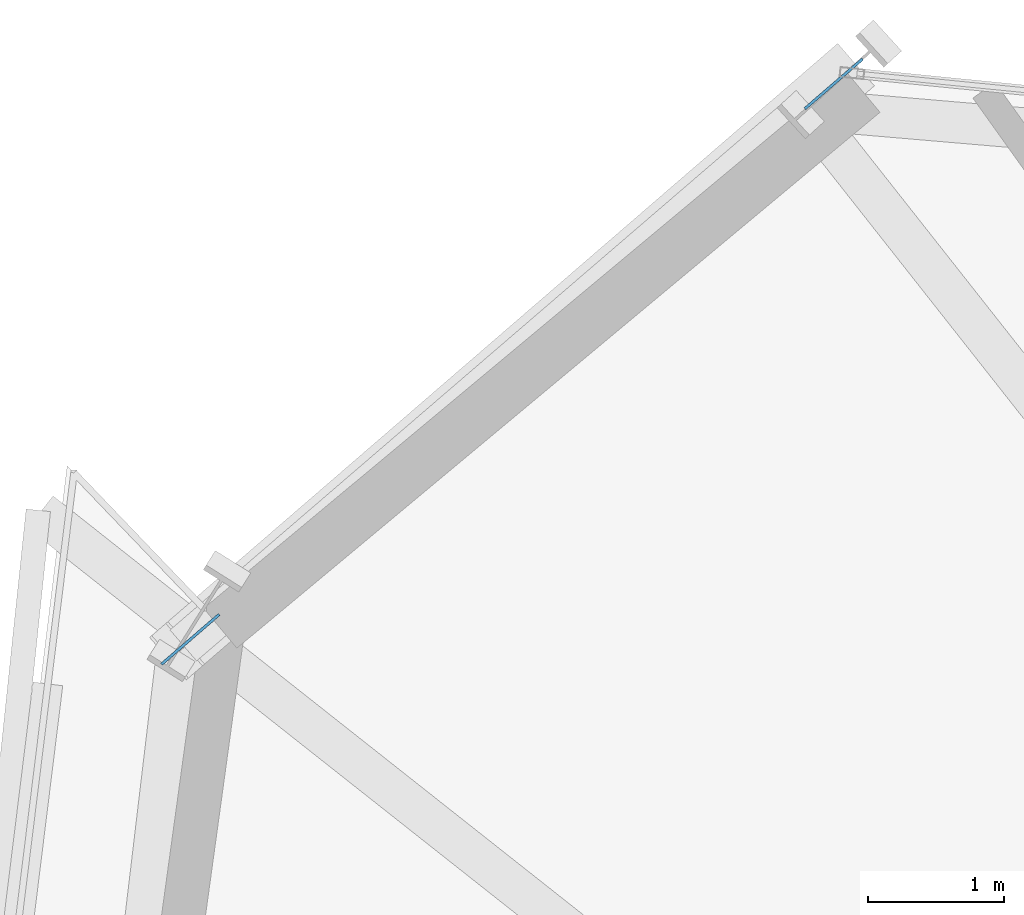
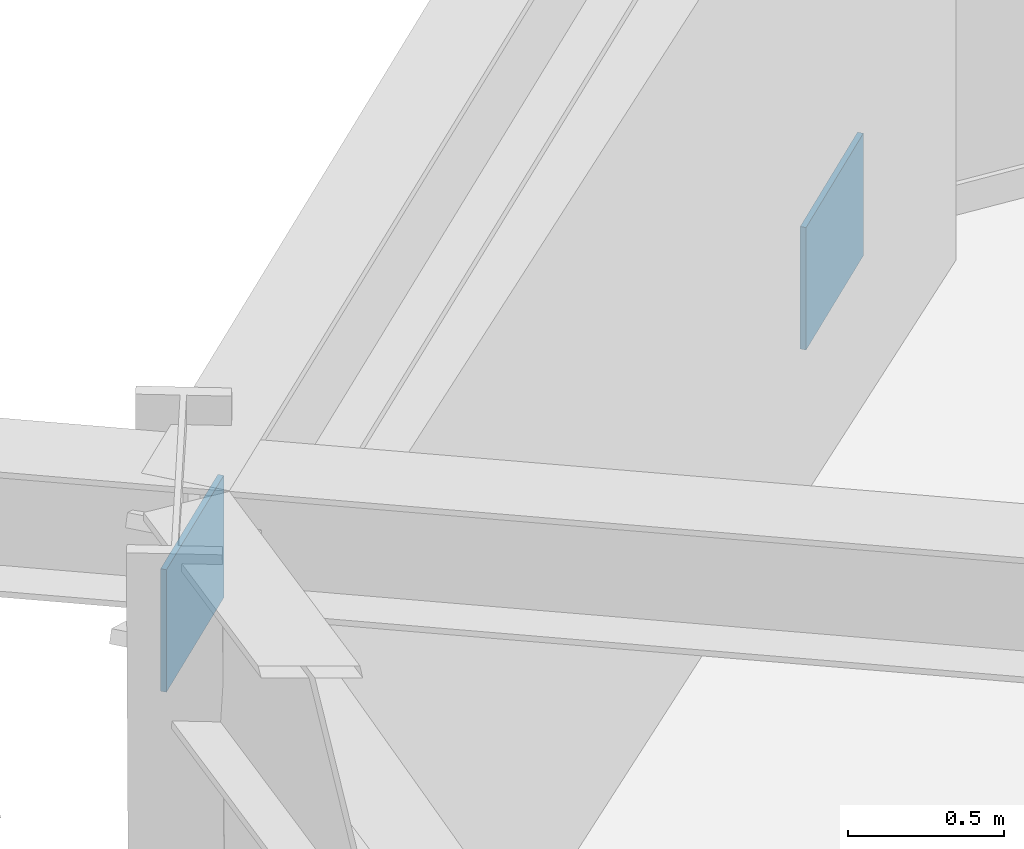
# One storey, part 16 of 24: 2 plates.
"""IFC4 building model written with IfcOpenShell, lengths in metres."""

import ifcopenshell
import ifcopenshell.guid

model = None  # the IFC model being written
_history = None  # IfcOwnerHistory: only IFC2X3 demands one
_inside = {}  # id of a spatial element -> (the spatial element, [elements in it])
_under = {}  # id of a project, library or spatial element -> (it, [spatial elements below it])
_declared = {}  # id of a project -> (the project, [libraries it declares])
_typed = {}  # id of a type object -> (the type object, [elements of that type])
_made_of = {}  # id of a material, layer set ... -> (it, [elements and type objects made of it])


def new_model(schema):
    """Start an empty IFC model of exactly this schema.

    Asked for "IFC4X3", IfcOpenShell would pick the latest addendum, in which some entities
    have other attributes; the version numbers below select the first issue.
    IFC2X3 requires an IfcOwnerHistory on every rooted entity: one is made here for all.
    """
    global model, _history
    if schema == "IFC4X3":
        model = ifcopenshell.file(schema_version=(4, 3, 0, 0))
    else:
        model = ifcopenshell.file(schema=schema)
    _inside.clear()
    _under.clear()
    _declared.clear()
    _typed.clear()
    _made_of.clear()
    _history = None
    if model.schema == "IFC2X3":
        org = make("IfcOrganization", Name="unknown")
        user = make(
            "IfcPersonAndOrganization",
            ThePerson=make("IfcPerson", FamilyName="unknown"),
            TheOrganization=org,
        )
        app = make(
            "IfcApplication",
            ApplicationDeveloper=org,
            Version="unknown",
            ApplicationFullName="unknown",
            ApplicationIdentifier="unknown",
        )
        _history = make(
            "IfcOwnerHistory",
            OwningUser=user,
            OwningApplication=app,
            ChangeAction="ADDED",
            CreationDate=0,
        )
    return model


def make(cls, **values):
    """One entity of the class cls with the attributes given. An attribute that is None is left unset."""
    return model.create_entity(
        cls, **{name: value for name, value in values.items() if value is not None}
    )


def rooted(cls, **values):
    """An entity with a GlobalId (a new one), such as an element, a storey or a relation."""
    return make(cls, GlobalId=ifcopenshell.guid.new(), OwnerHistory=_history, **values)


def si_unit(unit_type, name, prefix=None):
    """IfcSIUnit, for example si_unit("LENGTHUNIT", "METRE", prefix="MILLI")."""
    return make("IfcSIUnit", UnitType=unit_type, Prefix=prefix, Name=name)


def assignment(units):
    """IfcUnitAssignment: the units of a project."""
    return None if units is None else make("IfcUnitAssignment", Units=units)


def point(xyz):
    """IfcCartesianPoint."""
    return None if xyz is None else make("IfcCartesianPoint", Coordinates=xyz)


def direction(xyz):
    """IfcDirection."""
    return None if xyz is None else make("IfcDirection", DirectionRatios=xyz)


def frame(location, z_axis=None, x_axis=None):
    """IfcAxis2Placement3D, a coordinate frame: its origin and axes. An axis left out is left unset."""
    return make(
        "IfcAxis2Placement3D",
        Location=point(location),
        Axis=direction(z_axis),
        RefDirection=direction(x_axis),
    )


def frame_2d(location, x_axis=None):
    """IfcAxis2Placement2D, a coordinate frame in the plane: its origin and x axis."""
    return make(
        "IfcAxis2Placement2D", Location=point(location), RefDirection=direction(x_axis)
    )


def origin():
    """The frame at (0, 0, 0) with its axes left unset."""
    return frame((0.0, 0.0, 0.0))


def origin_2d():
    """The frame at (0, 0) in the plane with its x axis left unset."""
    return frame_2d((0.0, 0.0))


def place(relative_to, where):
    """IfcLocalPlacement: puts the frame where relative to a parent placement (None: the world)."""
    return make(
        "IfcLocalPlacement", PlacementRelTo=relative_to, RelativePlacement=where
    )


def context(
    kind, dimensions, precision=None, world=None, true_north=None, identifier=None
):
    """IfcGeometricRepresentationContext, for example the 3D "Model" context."""
    return make(
        "IfcGeometricRepresentationContext",
        ContextIdentifier=identifier,
        ContextType=kind,
        CoordinateSpaceDimension=dimensions,
        Precision=precision,
        WorldCoordinateSystem=world,
        TrueNorth=true_north,
    )


def subcontext(parent, identifier, kind, view, scale=None):
    """IfcGeometricRepresentationSubContext, for example "Body" below "Model"."""
    return make(
        "IfcGeometricRepresentationSubContext",
        ContextIdentifier=identifier,
        ContextType=kind,
        ParentContext=parent,
        TargetScale=scale,
        TargetView=view,
    )


def project(units=None, contexts=None):
    """IfcProject with its units and contexts."""
    return rooted(
        "IfcProject",
        Name="project",
        RepresentationContexts=contexts,
        UnitsInContext=assignment(units),
    )


def spatial(cls, under=None, at=None, **own):
    """A site, building, storey or space (cls), placed at a placement, below another one or the project."""
    s = rooted(cls, ObjectPlacement=at, **own)
    if under is not None:
        _under.setdefault(under.id(), (under, []))[1].append(s)
    return s


def profile(cls, at=None, kind="AREA", **sizes):
    """A parametric profile (cls). Its sizes go by their IFC names, for example OverallWidth=200.0."""
    return make(cls, ProfileType=kind, Position=at, **sizes)


def rectangle(**sizes):
    """IfcRectangleProfileDef."""
    return profile("IfcRectangleProfileDef", **sizes)


def extrude(swept, where, along, depth):
    """IfcExtrudedAreaSolid: the profile swept, set in the frame where, extruded along a direction by depth."""
    return make(
        "IfcExtrudedAreaSolid",
        SweptArea=swept,
        Position=where,
        ExtrudedDirection=direction(along),
        Depth=depth,
    )


def shape(context_of_items, identifier, shape_type, items):
    """IfcShapeRepresentation: the items that make up one representation, for example the "Body"."""
    return make(
        "IfcShapeRepresentation",
        ContextOfItems=context_of_items,
        RepresentationIdentifier=identifier,
        RepresentationType=shape_type,
        Items=items,
    )


def source(mapping_origin, context_of_items, identifier, shape_type, items):
    """IfcRepresentationMap: a shape defined once, which mapped items show again and again."""
    return make(
        "IfcRepresentationMap",
        MappingOrigin=mapping_origin,
        MappedRepresentation=shape(context_of_items, identifier, shape_type, items),
    )


def transform(
    local_origin,
    x_axis=None,
    y_axis=None,
    z_axis=None,
    scale=None,
    scale2=None,
    scale3=None,
    uniform=True,
):
    """IfcCartesianTransformationOperator3D, or its non-uniform kind. x_axis, y_axis, z_axis: its Axis1, 2, 3."""
    if uniform:
        return make(
            "IfcCartesianTransformationOperator3D",
            Axis1=direction(x_axis),
            Axis2=direction(y_axis),
            LocalOrigin=point(local_origin),
            Scale=scale,
            Axis3=direction(z_axis),
        )
    return make(
        "IfcCartesianTransformationOperator3DnonUniform",
        Axis1=direction(x_axis),
        Axis2=direction(y_axis),
        LocalOrigin=point(local_origin),
        Scale=scale,
        Axis3=direction(z_axis),
        Scale2=scale2,
        Scale3=scale3,
    )


def mapped(mapping_source, mapping_target):
    """IfcMappedItem: shows the shape of a source again, moved by a transform."""
    return make(
        "IfcMappedItem", MappingSource=mapping_source, MappingTarget=mapping_target
    )


def material(Name=None, Category=None):
    """IfcMaterial."""
    return make("IfcMaterial", Name=Name, Category=Category)


def made_of(thing, what):
    """Note that an element or type object is made of a material, layer set ...; save() writes the relation."""
    if what is not None:
        _made_of.setdefault(what.id(), (what, []))[1].append(thing)
    return thing


def type_object(cls, material=None, **own):
    """A type object (cls), such as IfcWallType, which elements share."""
    return made_of(rooted(cls, **own), material)


def element(
    cls,
    number,
    at=None,
    inside=None,
    cuts=None,
    type_object=None,
    material=None,
    context=None,
    identifier="Body",
    shape_type=None,
    held_by="IfcProductDefinitionShape",
    body=None,
    shapes=None,
    **own,
):
    """One element of the class cls, such as IfcWall. Its Tag is "e" and its number.

    at: its placement. inside: the storey or other place that contains it. cuts: it is an
    opening in that element (IfcRelVoidsElement). A single representation is given by context,
    identifier, shape_type and body (its items); several are given by shapes. held_by: the class
    of the entity that holds the representations. save() writes the other relations.
    """
    e = rooted(cls, Tag="e%d" % number, ObjectPlacement=at, **own)
    if body is not None:
        shapes = [shape(context, identifier, shape_type, body)]
    if shapes is not None:
        e.Representation = make(held_by, Representations=shapes)
    if inside is not None:
        _inside.setdefault(inside.id(), (inside, []))[1].append(e)
    if cuts is not None:
        rooted(
            "IfcRelVoidsElement", RelatingBuildingElement=cuts, RelatedOpeningElement=e
        )
    if type_object is not None:
        _typed.setdefault(type_object.id(), (type_object, []))[1].append(e)
    return made_of(e, material)


def aggregate(whole, parts):
    """IfcRelAggregates: a whole, such as a stair, and the parts it consists of."""
    return rooted("IfcRelAggregates", RelatingObject=whole, RelatedObjects=parts)


def save(model, path):
    """Write the relations noted so far, then the file.

    IfcRelAggregates (storeys below a building ...), IfcRelContainedInSpatialStructure (elements
    in a storey), IfcRelDefinesByType, IfcRelAssociatesMaterial and IfcRelDeclares: one each for
    every whole, place, type object, material and project.
    """
    for whole, parts in _under.values():
        aggregate(whole, parts)
    for where, things in _inside.values():
        rooted(
            "IfcRelContainedInSpatialStructure",
            RelatedElements=things,
            RelatingStructure=where,
        )
    for kind, things in _typed.values():
        rooted("IfcRelDefinesByType", RelatedObjects=things, RelatingType=kind)
    for what, things in _made_of.values():
        rooted("IfcRelAssociatesMaterial", RelatedObjects=things, RelatingMaterial=what)
    for by, libraries in _declared.values():
        rooted("IfcRelDeclares", RelatingContext=by, RelatedDefinitions=libraries)
    model.write(path)


model = new_model("IFC4")

# Units and contexts
model_context = context("Model", 3, precision=1e-05, world=origin(), true_north=direction((0.0, 1.0)))
body_context = subcontext(model_context, "Body", "Model", "MODEL_VIEW")
ifc_project = project(units=[si_unit("LENGTHUNIT", "METRE"), si_unit("AREAUNIT", "SQUARE_METRE"), si_unit("VOLUMEUNIT", "CUBIC_METRE"), si_unit("PLANEANGLEUNIT", "RADIAN"), si_unit("MASSUNIT", "GRAM", prefix="KILO")], contexts=[model_context])

# Site, building, storey
site_placement = place(None, origin())
site = spatial("IfcSite", under=ifc_project, at=site_placement, CompositionType="ELEMENT")
building_placement = place(site_placement, origin())
building = spatial("IfcBuilding", under=site, at=building_placement, Name="Olszyna Solenne Hotel", CompositionType="ELEMENT")
storey_placement = place(building_placement, frame((0.0, 0.0, 64.800048828125)))
storey = spatial("IfcBuildingStorey", under=building, at=storey_placement, Name="L16", CompositionType="ELEMENT", Elevation=64.800048828125)

# Plates
ifc_material = material(Name="Steel S355J2", Category="steel")
plate_type = type_object("IfcPlateType", Name="GP-ND2", PredefinedType="USERDEFINED", material=ifc_material)
shared_shape = source(origin(), body_context, "Body", "SweptSolid", [
    extrude(rectangle(XDim=0.56005859375, YDim=0.02001953125, at=origin_2d()), origin(), (0.0, 0.0, 1.0), 0.47998046875),
])
for number, where, z_axis, x_axis, name in (
    (1, (23.127197265625, 45.9228515625, -0.1728515625), (0.0, 0.0, 1.0), (-0.756881000713, -0.653552714599, 0.0), "Brace end connection gusset plate GP-ND2 EP-BR-L16-2-1"),
    (2, (18.3974609375, 41.839111328125, 2.617919921875), (0.0, 0.0, 1.0), (-0.756881000713, -0.653552714599, 0.0), "Brace end connection gusset plate GP-ND2 EP-BR-L16-2-2"),
):
    element("IfcPlate", number, at=place(storey_placement, frame(where, z_axis=z_axis, x_axis=x_axis)), inside=storey, type_object=plate_type, Name=name, ObjectType="GUSSET_PLATE", PredefinedType="USERDEFINED", context=body_context, shape_type="MappedRepresentation", body=[
        mapped(shared_shape, transform((0.0, 0.0, 0.0), x_axis=(1.0, 0.0, 0.0), y_axis=(0.0, 1.0, 0.0), z_axis=(0.0, 0.0, 1.0), scale=1.0)),
    ])

save(model, "model.ifc")
